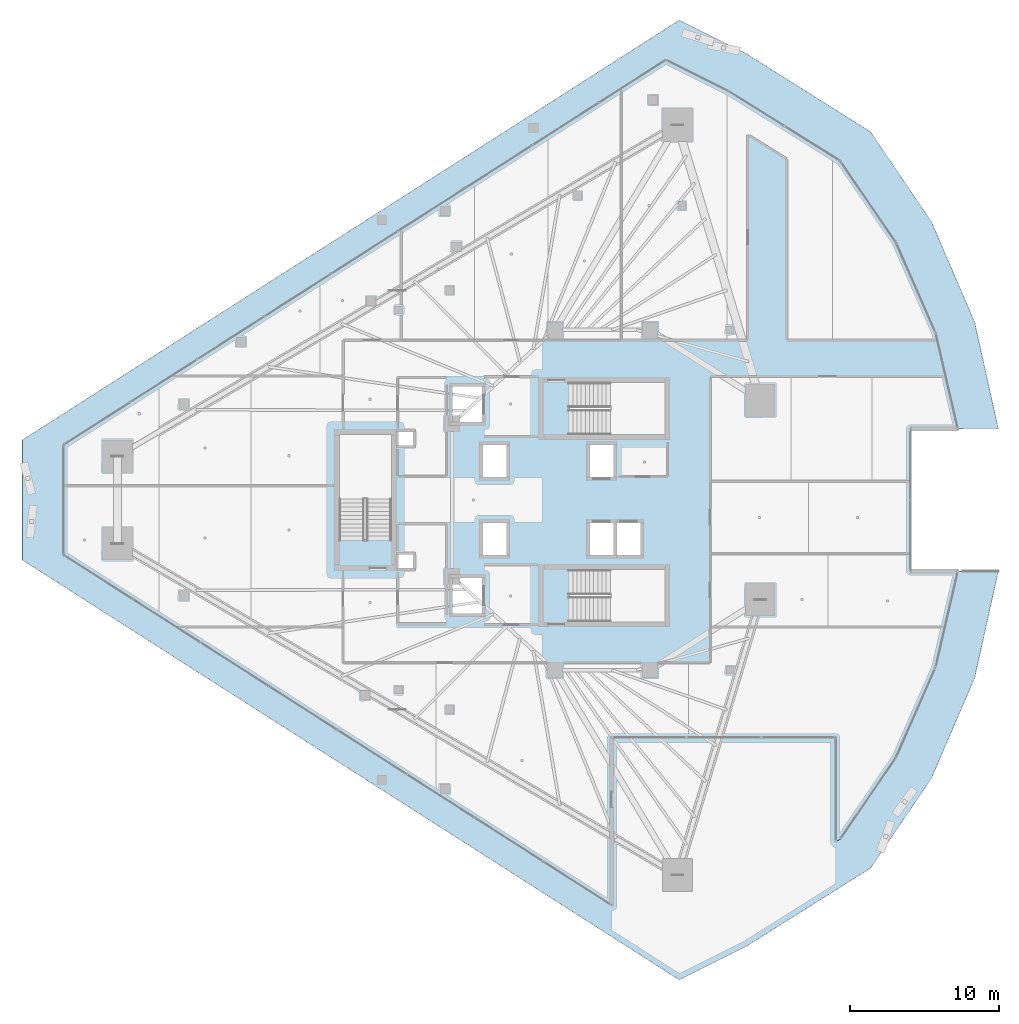
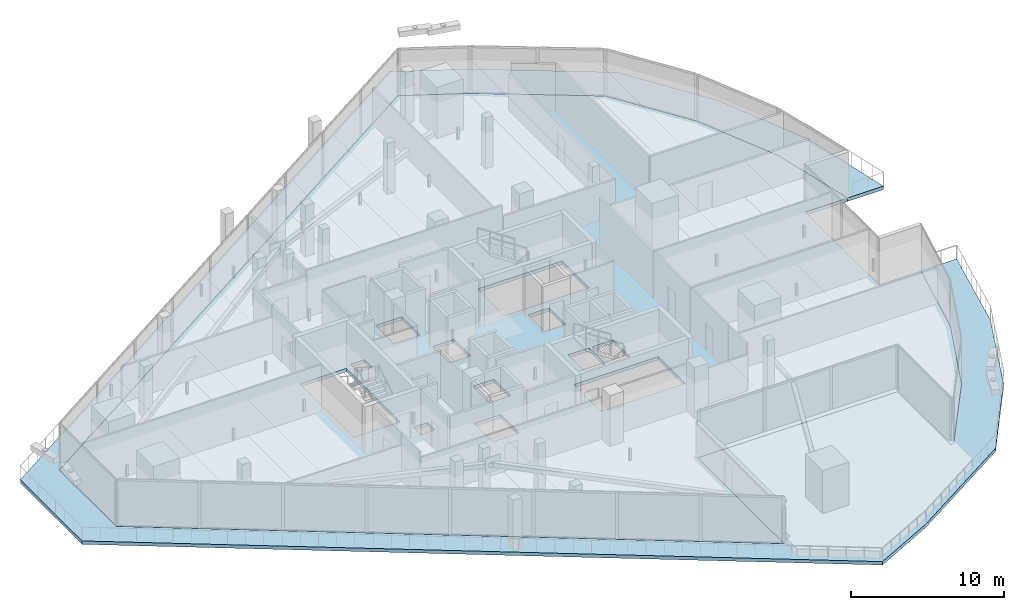
# One storey, part 29 of 43: 2 slabs.
"""IFC4 building model written with IfcOpenShell, lengths in metres."""

from ifc_helpers import new_model, si_unit, direction, frame, origin, place, context, subcontext, project, spatial, polyline, outline, extrude, material, layer, layer_set, type_object, element, save


model = new_model("IFC4")

# Units and contexts
model_context = context("Model", 3, precision=1e-05, world=origin(), true_north=direction((0.0, 1.0)))
body_context = subcontext(model_context, "Body", "Model", "MODEL_VIEW")
ifc_project = project(units=[si_unit("LENGTHUNIT", "METRE"), si_unit("AREAUNIT", "SQUARE_METRE"), si_unit("VOLUMEUNIT", "CUBIC_METRE"), si_unit("PLANEANGLEUNIT", "RADIAN"), si_unit("MASSUNIT", "GRAM", prefix="KILO")], contexts=[model_context])

# Site, building, storey
site_placement = place(None, origin())
site = spatial("IfcSite", under=ifc_project, at=site_placement, CompositionType="ELEMENT")
building_placement = place(site_placement, origin())
building = spatial("IfcBuilding", under=site, at=building_placement, Name="Qorvath Tower", CompositionType="ELEMENT")
storey_placement = place(building_placement, frame((0.0, 0.0, 150.300048828125)))
storey = spatial("IfcBuildingStorey", under=building, at=storey_placement, Name="L34", CompositionType="ELEMENT", Elevation=150.300048828125)

# Slabs
ifc_material_1 = material(Name="Precast concrete C45/55", Category="concrete")
ifc_layer_1 = layer(ifc_material_1, 0.27001953125)
ifc_layer_set_1 = layer_set([ifc_layer_1], Name="SL-LOG-270")
slab_type_1 = type_object("IfcSlabType", Name="SL-LOG-270", PredefinedType="FLOOR", material=ifc_layer_set_1)
slab_1_placement = place(storey_placement, frame((0.0, 0.0, -0.27001953125)))
element("IfcSlab", 1, at=slab_1_placement, inside=storey, type_object=slab_type_1, Name="Tower L34 Perimeter Loggia and Terrace Slab", PredefinedType="FLOOR", context=body_context, shape_type="SweptSolid", body=[
    extrude(outline(polyline([(3.53662109375, -4.795166015625), (2.0390625, -11.260986328125), (-0.628173828125, -17.338134765625), (-4.373291015625, -22.8173828125), (-4.68798828125, -23.013671875), (-4.68798828125, -15.98388671875), (-19.783935546875, -15.98388671875), (-19.783935546875, -27.287109375), (-56.683837890625, -3.703125), (-56.683837890625, 3.703125), (-16.124755859375, 29.625732421875), (-11.892578125, 27.509521484375), (-4.373291015625, 22.8173828125), (-0.628173828125, 17.338134765625), (2.0390625, 11.260986328125), (3.53662109375, 4.795166015625), (6.252685546875, 4.795166015625), (4.666015625, 11.964599609375), (1.761962890625, 18.708984375), (-2.356201171875, 24.78857421875), (-10.621826171875, 29.9873046875), (-15.2353515625, 32.2939453125), (-59.447265625, 4.03662109375), (-59.447265625, -4.03662109375), (-15.2353515625, -32.2939453125), (-10.621826171875, -29.9873046875), (-2.356201171875, -24.78857421875), (1.761962890625, -18.708984375), (4.666015625, -11.964599609375), (6.252685546875, -4.795166015625), (3.53662109375, -4.795166015625)])), origin(), (0.0, 0.0, 1.0), 0.27001953125),
])
ifc_material_2 = material(Name="Concrete C45/55", Category="concrete")
ifc_layer_2 = layer(ifc_material_2, 0.27001953125)
ifc_layer_set_2 = layer_set([ifc_layer_2], Name="SL-MID-270")
slab_type_2 = type_object("IfcSlabType", Name="SL-MID-270", PredefinedType="FLOOR", material=ifc_layer_set_2)
slab_2_placement = place(storey_placement, frame((0.0, 0.0, -0.27001953125)))
element("IfcSlab", 2, at=slab_2_placement, inside=storey, type_object=slab_type_2, Name="Tower L34 Interior Floor Slab", PredefinedType="FLOOR", context=body_context, shape_type="SweptSolid", body=[
    extrude(outline(polyline([(-56.683837890625, -3.703125), (-19.783935546875, -27.287109375), (-19.783935546875, -15.98388671875), (-4.68798828125, -15.98388671875), (-4.68798828125, -23.013671875), (-4.373291015625, -22.8173828125), (-0.628173828125, -17.338134765625), (2.0390625, -11.260986328125), (3.53662109375, -4.795166015625), (0.33984375, -4.795166015625), (0.33984375, 4.795166015625), (3.53662109375, 4.795166015625), (2.0390625, 11.260986328125), (-0.628173828125, 17.338134765625), (-4.373291015625, 22.8173828125), (-11.892578125, 27.509521484375), (-16.124755859375, 29.625732421875), (-56.683837890625, 3.703125), (-56.683837890625, -3.703125)]), holes=[polyline([(-16.2451171875, -8.199951171875), (-22.625, -8.199951171875), (-22.625, -4.68994140625), (-16.2451171875, -4.68994140625), (-16.2451171875, -8.199951171875)]), polyline([(-22.625, 4.39990234375), (-22.625, 7.909912109375), (-16.2451171875, 7.909912109375), (-16.2451171875, 4.39990234375), (-22.625, 4.39990234375)]), polyline([(-17.85009765625, -3.699951171875), (-19.449951171875, -3.699951171875), (-19.449951171875, -1.550048828125), (-17.85009765625, -1.550048828125), (-17.85009765625, -3.699951171875)]), polyline([(-21.25, -3.699951171875), (-21.25, -1.550048828125), (-19.64990234375, -1.550048828125), (-19.64990234375, -3.699951171875), (-21.25, -3.699951171875)]), polyline([(-21.25, 1.550048828125), (-21.25, 3.699951171875), (-19.64990234375, 3.699951171875), (-19.64990234375, 1.550048828125), (-21.25, 1.550048828125)]), polyline([(-28.449951171875, -3.699951171875), (-28.449951171875, -1.550048828125), (-26.85009765625, -1.550048828125), (-26.85009765625, -3.699951171875), (-28.449951171875, -3.699951171875)]), polyline([(-26.85009765625, 1.550048828125), (-28.449951171875, 1.550048828125), (-28.449951171875, 3.699951171875), (-26.85009765625, 3.699951171875), (-26.85009765625, 1.550048828125)]), polyline([(-28.5, -7.64990234375), (-30.5, -7.64990234375), (-30.5, -5.25), (-28.5, -5.25), (-28.5, -7.64990234375)]), polyline([(-30.5, 5.25), (-30.5, 7.64990234375), (-28.5, 7.64990234375), (-28.5, 5.25), (-30.5, 5.25)]), polyline([(-34.14990234375, -4.6201171875), (-34.14990234375, -3.64990234375), (-33.10009765625, -3.64990234375), (-33.10009765625, -4.6201171875), (-34.14990234375, -4.6201171875)]), polyline([(-34.14990234375, 3.64990234375), (-34.14990234375, 4.6201171875), (-33.10009765625, 4.6201171875), (-33.10009765625, 3.64990234375), (-34.14990234375, 3.64990234375)]), polyline([(-34.60009765625, -2.675048828125), (-38.110107421875, -2.675048828125), (-38.110107421875, 4.35498046875), (-34.60009765625, 4.35498046875), (-34.60009765625, -2.675048828125)])]), origin(), (0.0, 0.0, 1.0), 0.27001953125),
])

save(model, "model.ifc")
